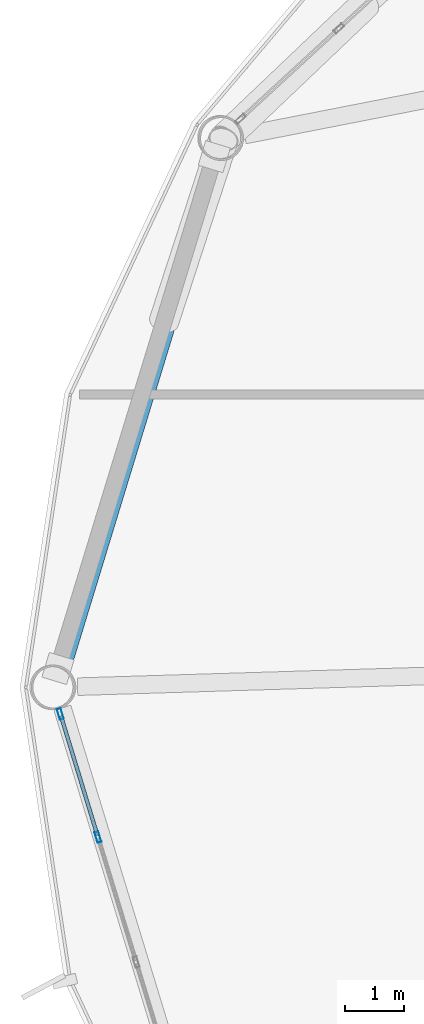
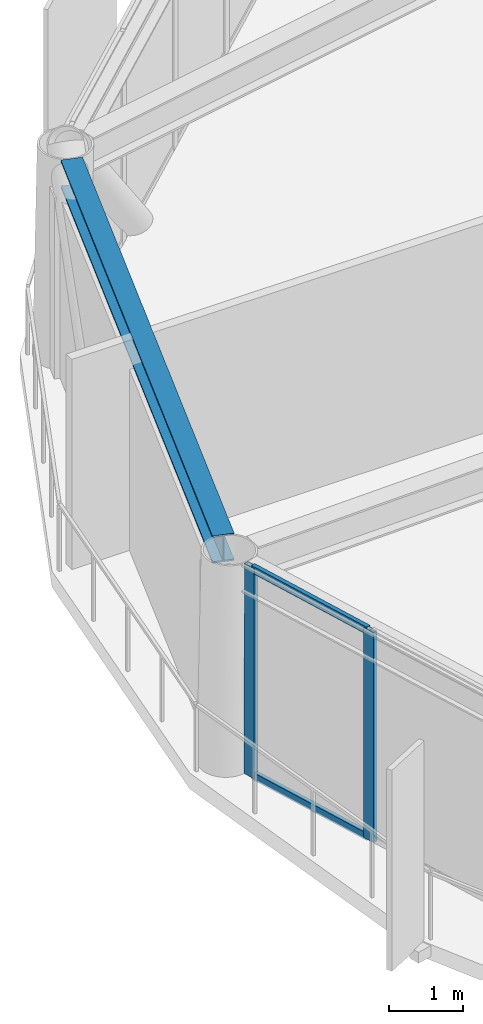
# One storey, part 10 of 26: 4 members, 1 beam, 1 element without a shape of its own.
"""IFC4 building model written with IfcOpenShell, lengths in metres."""

from ifc_helpers import new_model, si_unit, direction, frame, origin, origin_2d, place, context, subcontext, project, spatial, hollow_rectangle, i_section, extrude, material, layer, layer_set, material_profile, profile_set, type_object, element, aggregate, save


model = new_model("IFC4")

# Units and contexts
model_context = context("Model", 3, precision=1e-05, world=origin(), true_north=direction((0.0, 1.0)))
body_context = subcontext(model_context, "Body", "Model", "MODEL_VIEW")
ifc_project = project(units=[si_unit("LENGTHUNIT", "METRE"), si_unit("AREAUNIT", "SQUARE_METRE"), si_unit("VOLUMEUNIT", "CUBIC_METRE"), si_unit("PLANEANGLEUNIT", "RADIAN"), si_unit("MASSUNIT", "GRAM", prefix="KILO")], contexts=[model_context])

# Site, building, storey
site_placement = place(None, origin())
site = spatial("IfcSite", under=ifc_project, at=site_placement, CompositionType="ELEMENT")
building_placement = place(site_placement, origin())
building = spatial("IfcBuilding", under=site, at=building_placement, Name="Varnakorn Sky Granary", CompositionType="ELEMENT")
storey_placement = place(building_placement, frame((0.0, 0.0, 165.60009765625)))
storey = spatial("IfcBuildingStorey", under=building, at=storey_placement, Name="L41", CompositionType="ELEMENT", Elevation=165.60009765625)

# Beam
ifc_material_1 = material(Name="Steel S355JR", Category="steel")
ifc_material_profile_1 = material_profile(ifc_material_1, i_section(OverallWidth=0.300048828125, OverallDepth=0.449951171875, WebThickness=0.013916015625, FlangeThickness=0.02587890625, at=origin_2d()), Name="HE 450 B")
ifc_profile_set_1 = profile_set([ifc_material_profile_1], Name="Steel S355JR")
beam_type = type_object("IfcBeamType", Name="BM-SPD-Z3", PredefinedType="SPANDREL", material=ifc_profile_set_1)
beam_placement = place(storey_placement, frame((-19.2001953125, 9.00732421875, 3.224853515625), z_axis=(-0.291971837772, -0.956426916156, 0.0), x_axis=(0.956426916156, -0.291971837772, 0.0)))
element("IfcBeam", 1, at=beam_placement, inside=storey, type_object=beam_type, Name="Perimeter Spandrel Ring Beam RB06 L41", PredefinedType="SPANDREL", context=body_context, shape_type="SweptSolid", body=[
    extrude(i_section(OverallWidth=0.300048828125, OverallDepth=0.449951171875, WebThickness=0.013916015625, FlangeThickness=0.02587890625, at=origin_2d()), origin(), (0.0, 0.0, 1.0), 9.051513671875),
])

# Curtain wall, members
ifc_material_2 = material(Name="Anodised Bronze Aluminium Alloy 6063-T6", Category="aluminium")
ifc_layer = layer(ifc_material_2, 0.179931640625, Name="Anodised Bronze Aluminium Alloy 6063-T6")
ifc_layer_set = layer_set([ifc_layer], Name="Anodised Bronze Aluminium Alloy 6063-T6")
curtain_wall_type = type_object("IfcCurtainWallType", Name="CW-FRM-2", PredefinedType="USERDEFINED", material=ifc_layer_set)
curtain_wall_placement = place(storey_placement, origin())
curtain_wall = element("IfcCurtainWall", 2, at=curtain_wall_placement, inside=storey, type_object=curtain_wall_type, Name="Unitised Curtain Wall CW4 CW-L41-B07", ObjectType="CURTAIN WALL", PredefinedType="USERDEFINED")
ifc_material_profile_2 = material_profile(ifc_material_2, hollow_rectangle(XDim=0.070068359375, YDim=0.18505859375, WallThickness=0.00390625, at=origin_2d()), Name="ALU MULL 70x185")
ifc_profile_set_2 = profile_set([ifc_material_profile_2], Name="Anodised Bronze Aluminium Alloy 6063-T6")
member_type_1 = type_object("IfcMemberType", Name="CW-FRM-2-MULL", PredefinedType="MULLION", material=ifc_profile_set_2)
member_1_placement = place(storey_placement, frame((-21.236083984375, -2.556396484375, 0.0), z_axis=(0.0, 0.0, 1.0), x_axis=(-0.956373568198, -0.292146535238, 0.0)))
member_1 = element("IfcMember", 3, at=member_1_placement, type_object=member_type_1, Name="CW4 mullion 4", PredefinedType="MULLION", context=body_context, shape_type="SweptSolid", body=[
    extrude(hollow_rectangle(XDim=0.070068359375, YDim=0.18505859375, WallThickness=0.00390625, at=origin_2d()), origin(), (0.0, 0.0, 1.0), 3.449951171875),
])
member_2_placement = place(storey_placement, frame((-21.8779296875, -0.455322265625, 0.0), z_axis=(0.0, 0.0, 1.0), x_axis=(-0.956373568198, -0.292146535238, 0.0)))
member_2 = element("IfcMember", 4, at=member_2_placement, type_object=member_type_1, Name="CW4 mullion 5", PredefinedType="MULLION", context=body_context, shape_type="SweptSolid", body=[
    extrude(hollow_rectangle(XDim=0.070068359375, YDim=0.18505859375, WallThickness=0.00390625, at=origin_2d()), origin(), (0.0, 0.0, 1.0), 3.449951171875),
])
ifc_material_profile_3 = material_profile(ifc_material_2, hollow_rectangle(XDim=0.06494140625, YDim=0.1201171875, WallThickness=0.00341796875, at=origin_2d()), Name="ALU TRAN 65x120")
ifc_profile_set_3 = profile_set([ifc_material_profile_3], Name="Anodised Bronze Aluminium Alloy 6063-T6")
member_type_2 = type_object("IfcMemberType", Name="CW-FRM-2-TRAN", PredefinedType="USERDEFINED", material=ifc_profile_set_3)
member_3_placement = place(storey_placement, frame((-21.246337890625, -2.522705078125, 0.032470703125), z_axis=(-0.292157288555, 0.956370283282, 0.0), x_axis=(-0.956370283282, -0.292157288555, 0.0)))
member_3 = element("IfcMember", 5, at=member_3_placement, type_object=member_type_2, Name="CW4 transom 4.1", ObjectType="TRANSOM", PredefinedType="USERDEFINED", context=body_context, shape_type="SweptSolid", body=[
    extrude(hollow_rectangle(XDim=0.06494140625, YDim=0.1201171875, WallThickness=0.00341796875, at=origin_2d()), origin(), (0.0, 0.0, 1.0), 2.126708984375),
])
member_4_placement = place(storey_placement, frame((-21.246337890625, -2.522705078125, 3.41748046875), z_axis=(-0.292157288555, 0.956370283282, 0.0), x_axis=(-0.956370283282, -0.292157288555, 0.0)))
member_4 = element("IfcMember", 6, at=member_4_placement, type_object=member_type_2, Name="CW4 transom 4.2", ObjectType="TRANSOM", PredefinedType="USERDEFINED", context=body_context, shape_type="SweptSolid", body=[
    extrude(hollow_rectangle(XDim=0.06494140625, YDim=0.1201171875, WallThickness=0.00341796875, at=origin_2d()), origin(), (0.0, 0.0, 1.0), 2.126708984375),
])
aggregate(curtain_wall, [member_1, member_2, member_3, member_4])

save(model, "model.ifc")
